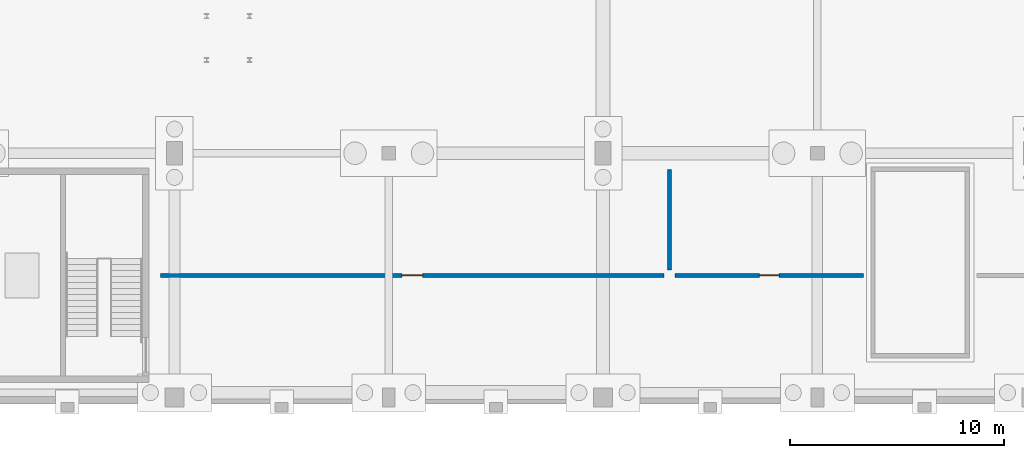
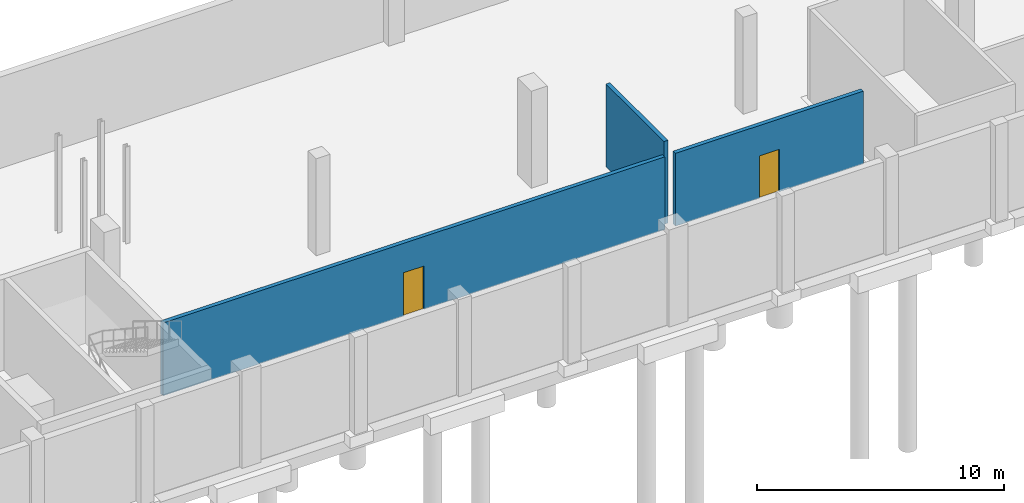
# One storey, part 22 of 34: 3 walls, 2 doors, 2 openings.
"""IFC4 building model written with IfcOpenShell, lengths in metres."""

from ifc_helpers import new_model, si_unit, direction, frame, frame_2d, origin, place, context, subcontext, project, spatial, rectangle, extrude, material, layer, layer_set, type_object, element, fill, save


model = new_model("IFC4")

# Units and contexts
model_context = context("Model", 3, precision=1e-05, world=origin(), true_north=direction((0.0, 1.0)))
body_context = subcontext(model_context, "Body", "Model", "MODEL_VIEW")
ifc_project = project(units=[si_unit("LENGTHUNIT", "METRE"), si_unit("AREAUNIT", "SQUARE_METRE"), si_unit("VOLUMEUNIT", "CUBIC_METRE"), si_unit("PLANEANGLEUNIT", "RADIAN"), si_unit("MASSUNIT", "GRAM", prefix="KILO"), si_unit("POWERUNIT", "WATT"), si_unit("THERMODYNAMICTEMPERATUREUNIT", "KELVIN")], contexts=[model_context])

# Site, building, storey
site_placement = place(None, origin())
site = spatial("IfcSite", under=ifc_project, at=site_placement, CompositionType="ELEMENT")
building_placement = place(site_placement, origin())
building = spatial("IfcBuilding", under=site, at=building_placement, Name="Kelmbourne Parkland Aquatics Centre", CompositionType="ELEMENT")
storey_placement = place(building_placement, frame((0.0, 0.0, -4.800048828125)))
storey = spatial("IfcBuildingStorey", under=building, at=storey_placement, Name="B1", CompositionType="ELEMENT", Elevation=-4.800048828125)

# Wall, opening, door
ifc_material_1 = material(Name="Concrete blockwork C32/40", Category="masonry")
ifc_layer_1 = layer(ifc_material_1, 0.18994140625)
ifc_layer_set_1 = layer_set([ifc_layer_1], Name="Concrete blockwork C32/40")
wall_type = type_object("IfcWallType", Name="W-SOLID-190", PredefinedType="SOLIDWALL", material=ifc_layer_set_1)
wall_1_placement = place(storey_placement, frame((55.35009765625, 6.5, 0.0), z_axis=(0.0, 0.0, 1.0), x_axis=(1.0, 0.0, 0.0)))
wall_1 = element("IfcWall", 1, at=wall_1_placement, inside=storey, type_object=wall_type, Name="Interior partition PT-B1-011", PredefinedType="SOLIDWALL", context=body_context, shape_type="SweptSolid", body=[
    extrude(rectangle(XDim=23.5, YDim=0.18994140625, at=frame_2d((11.75, 0.0))), origin(), (0.0, 0.0, 1.0), 3.60498046875),
])
opening_1_placement = place(wall_1_placement, frame((11.27490234375, 0.0, 0.0)))
opening_1 = element("IfcOpeningElement", 2, at=opening_1_placement, cuts=wall_1, Name="Opening ID05", PredefinedType="OPENING", context=body_context, shape_type="SweptSolid", body=[
    extrude(rectangle(XDim=0.949951171875, YDim=2.14990234375, at=frame_2d((0.47509765625, 1.074951171875))), frame((0.0, 0.10693359375, 0.0), z_axis=(0.0, -1.0, 0.0), x_axis=(1.0, 0.0, 0.0)), (0.0, 0.0, 1.0), 0.2138671875),
])
ifc_material_2 = material(Name="Marine-grade stainless steel and solid-core hardwood doorset", Category="timber")
ifc_layer_2 = layer(ifc_material_2, 0.050048828125)
ifc_layer_set_2 = layer_set([ifc_layer_2], Name="Marine-grade stainless steel and solid-core hardwood doorset")
door_type_1 = type_object("IfcDoorType", Name="DR-INT-095", OperationType="NOTDEFINED", PredefinedType="DOOR", material=ifc_layer_set_2)
door_1_placement = place(opening_1_placement, origin())
door_1 = element("IfcDoor", 3, at=door_1_placement, inside=storey, type_object=door_type_1, Name="Interior door ID05 (B1-007)", OperationType="SINGLE_SWING_LEFT", OverallHeight=2.14990234375, OverallWidth=0.949951171875, PredefinedType="DOOR", context=body_context, shape_type="SweptSolid", body=[
    extrude(rectangle(XDim=0.949951171875, YDim=2.14990234375, at=frame_2d((0.47509765625, 1.074951171875))), frame((0.0, 0.02490234375, 0.0), z_axis=(0.0, -1.0, 0.0), x_axis=(1.0, 0.0, 0.0)), (0.0, 0.0, 1.0), 0.050048828125),
])
fill(opening_1, door_1)

wall_2_placement = place(storey_placement, frame((79.35009765625, 6.5, 0.0), z_axis=(0.0, 0.0, 1.0), x_axis=(1.0, 0.0, 0.0)))
wall_2 = element("IfcWall", 4, at=wall_2_placement, inside=storey, type_object=wall_type, Name="Interior partition PT-B1-012", PredefinedType="SOLIDWALL", context=body_context, shape_type="SweptSolid", body=[
    extrude(rectangle(XDim=8.7998046875, YDim=0.18994140625, at=frame_2d((4.39990234375, 0.0))), origin(), (0.0, 0.0, 1.0), 3.60498046875),
])
opening_2_placement = place(wall_2_placement, frame((3.93994140625, 0.0, 0.0)))
opening_2 = element("IfcOpeningElement", 5, at=opening_2_placement, cuts=wall_2, Name="Opening ID06", PredefinedType="OPENING", context=body_context, shape_type="SweptSolid", body=[
    extrude(rectangle(XDim=0.919921875, YDim=2.10009765625, at=frame_2d((0.4599609375, 1.050048828125))), frame((0.0, 0.10693359375, 0.0), z_axis=(0.0, -1.0, 0.0), x_axis=(1.0, 0.0, 0.0)), (0.0, 0.0, 1.0), 0.2138671875),
])
ifc_layer_3 = layer(ifc_material_2, 0.050048828125)
ifc_layer_set_3 = layer_set([ifc_layer_3], Name="Marine-grade stainless steel and solid-core hardwood doorset")
door_type_2 = type_object("IfcDoorType", Name="DR-INT-092", OperationType="NOTDEFINED", PredefinedType="DOOR", material=ifc_layer_set_3)
door_2_placement = place(opening_2_placement, origin())
door_2 = element("IfcDoor", 6, at=door_2_placement, inside=storey, type_object=door_type_2, Name="Interior door ID06 (B1-008)", OperationType="SINGLE_SWING_RIGHT", OverallHeight=2.10009765625, OverallWidth=0.919921875, PredefinedType="DOOR", context=body_context, shape_type="SweptSolid", body=[
    extrude(rectangle(XDim=0.919921875, YDim=2.10009765625, at=frame_2d((0.4599609375, 1.050048828125))), frame((0.0, 0.02490234375, 0.0), z_axis=(0.0, -1.0, 0.0), x_axis=(1.0, 0.0, 0.0)), (0.0, 0.0, 1.0), 0.050048828125),
])
fill(opening_2, door_2)

# Wall
wall_3_placement = place(storey_placement, frame((79.10009765625, 6.75, 0.0), z_axis=(0.0, 0.0, 1.0), x_axis=(0.0, 1.0, 0.0)))
element("IfcWall", 7, at=wall_3_placement, inside=storey, type_object=wall_type, Name="Interior partition PT-B1-017", PredefinedType="SOLIDWALL", context=body_context, shape_type="SweptSolid", body=[
    extrude(rectangle(XDim=4.699951171875, YDim=0.18994140625, at=frame_2d((2.35009765625, 0.0))), origin(), (0.0, 0.0, 1.0), 4.09912109375),
])

save(model, "model.ifc")
